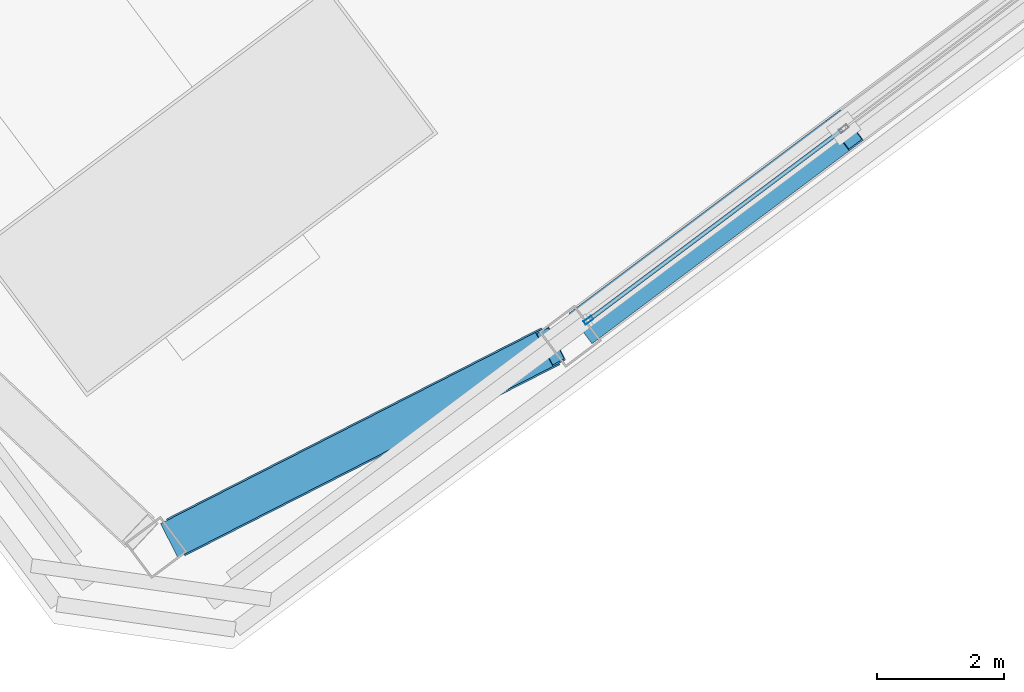
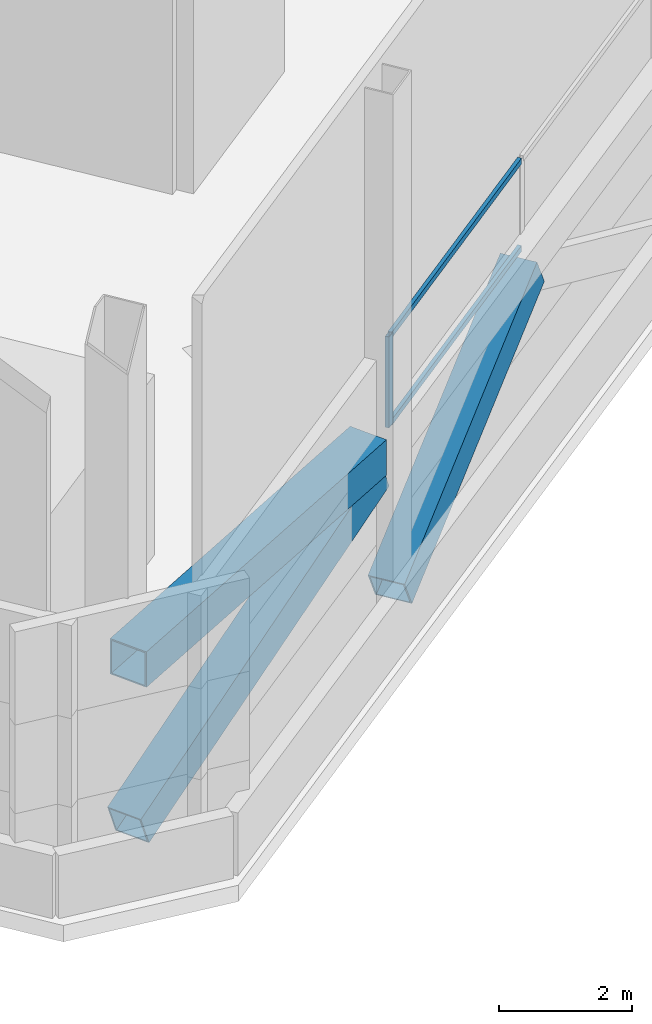
# One storey, part 18 of 37: 5 members, 1 beam, 1 element without a shape of its own.
"""IFC4 building model written with IfcOpenShell, lengths in metres."""

from ifc_helpers import new_model, si_unit, direction, frame, origin, origin_2d, place, context, subcontext, project, spatial, hollow_rectangle, extrude, material, material_profile, profile_set, type_object, element, aggregate, save


model = new_model("IFC4")

# Units and contexts
model_context = context("Model", 3, precision=1e-05, world=origin(), true_north=direction((0.0, 1.0)))
body_context = subcontext(model_context, "Body", "Model", "MODEL_VIEW")
ifc_project = project(units=[si_unit("LENGTHUNIT", "METRE"), si_unit("AREAUNIT", "SQUARE_METRE"), si_unit("VOLUMEUNIT", "CUBIC_METRE"), si_unit("PLANEANGLEUNIT", "RADIAN"), si_unit("MASSUNIT", "GRAM", prefix="KILO")], contexts=[model_context])

# Site, building, storey
site_placement = place(None, origin())
site = spatial("IfcSite", under=ifc_project, at=site_placement, CompositionType="ELEMENT")
building_placement = place(site_placement, origin())
building = spatial("IfcBuilding", under=site, at=building_placement, Name="Tashvorn Skyway Center", CompositionType="ELEMENT")
storey_placement = place(building_placement, frame((0.0, 0.0, 263.39990234375)))
storey = spatial("IfcBuildingStorey", under=building, at=storey_placement, Name="L71", CompositionType="ELEMENT", Elevation=263.39990234375)

# Beam
ifc_material_1 = material(Name="Steel ASTM A572 Grade 50", Category="steel")
ifc_material_profile_1 = material_profile(ifc_material_1, hollow_rectangle(XDim=0.64990234375, YDim=0.64990234375, WallThickness=0.02490234375, at=origin_2d()), Name="BOX650x650x25")
ifc_profile_set_1 = profile_set([ifc_material_profile_1], Name="Steel ASTM A572 Grade 50")
beam_type = type_object("IfcBeamType", Name="BM-BEAM-BOX650x650x25", PredefinedType="BEAM", material=ifc_profile_set_1)
beam_placement = place(storey_placement, frame((111.787353515625, 14.516845703125, 3.316650390625), z_axis=(0.890849939668, 0.454297683235, 0.0), x_axis=(-0.454297683235, 0.890849939668, 0.0)))
element("IfcBeam", 1, at=beam_placement, inside=storey, type_object=beam_type, Name="CROWN FRAME Tower 2 Lower-Tier Ring Beam 01", PredefinedType="BEAM", context=body_context, shape_type="SweptSolid", body=[
    extrude(hollow_rectangle(XDim=0.64990234375, YDim=0.64990234375, WallThickness=0.02490234375, at=origin_2d()), origin(), (0.0, 0.0, 1.0), 6.61767578125),
])

# Curtain wall, members
ifc_material_2 = material(Name="Thermally broken bronze-anodized aluminium 6063-T6", Category="aluminium")
curtain_wall_type = type_object("IfcCurtainWallType", Name="CW-CW-SKY", PredefinedType="NOTDEFINED", material=ifc_material_2)
curtain_wall_placement = place(storey_placement, origin())
curtain_wall = element("IfcCurtainWall", 2, at=curtain_wall_placement, inside=storey, type_object=curtain_wall_type, Name="CROWN Lantern Fritted Curtain Wall T2 S-3", PredefinedType="NOTDEFINED")
ifc_material_profile_2 = material_profile(ifc_material_2, hollow_rectangle(XDim=0.06494140625, YDim=0.14990234375, WallThickness=0.00390625, at=origin_2d()), Name="ALU-MULL-65x150")
ifc_profile_set_2 = profile_set([ifc_material_profile_2], Name="Thermally broken bronze-anodized aluminium 6063-T6")
member_type_1 = type_object("IfcMemberType", Name="CWM-CW-SKY", PredefinedType="MULLION", material=ifc_profile_set_2)
member_1_placement = place(storey_placement, frame((118.278076171875, 17.93359375, 3.330078125), z_axis=(0.0, 0.0, 1.0), x_axis=(0.600000000002, -0.799999999998, 0.0)))
member_1 = element("IfcMember", 3, at=member_1_placement, type_object=member_type_1, Name="CW-SKY mullion 3", PredefinedType="MULLION", context=body_context, shape_type="SweptSolid", body=[
    extrude(hollow_rectangle(XDim=0.06494140625, YDim=0.14990234375, WallThickness=0.00390625, at=origin_2d()), origin(), (0.0, 0.0, 1.0), 1.6650390625),
])
ifc_material_profile_3 = material_profile(ifc_material_2, hollow_rectangle(XDim=0.06494140625, YDim=0.10498046875, WallThickness=0.00390625, at=origin_2d()), Name="ALU-TRAN-65x105")
ifc_profile_set_3 = profile_set([ifc_material_profile_3], Name="Thermally broken bronze-anodized aluminium 6063-T6")
member_type_2 = type_object("IfcMemberType", Name="CWT-CW-SKY", PredefinedType="USERDEFINED", material=ifc_profile_set_3)
member_2_placement = place(storey_placement, frame((122.26611328125, 20.924560546875, 3.362548828125), z_axis=(-0.799994084668, -0.600007887028, 0.0), x_axis=(0.600007887028, -0.799994084668, 0.0)))
member_2 = element("IfcMember", 4, at=member_2_placement, type_object=member_type_2, Name="CW-SKY transom 2.1", ObjectType="TRANSOM", PredefinedType="USERDEFINED", context=body_context, shape_type="SweptSolid", body=[
    extrude(hollow_rectangle(XDim=0.06494140625, YDim=0.10498046875, WallThickness=0.00390625, at=origin_2d()), origin(), (0.0, 0.0, 1.0), 4.95263671875),
])
member_3_placement = place(storey_placement, frame((122.26611328125, 20.924560546875, 4.962646484375), z_axis=(-0.799994084668, -0.600007887028, 0.0), x_axis=(0.600007887028, -0.799994084668, 0.0)))
member_3 = element("IfcMember", 5, at=member_3_placement, type_object=member_type_2, Name="CW-SKY transom 2.2", ObjectType="TRANSOM", PredefinedType="USERDEFINED", context=body_context, shape_type="SweptSolid", body=[
    extrude(hollow_rectangle(XDim=0.06494140625, YDim=0.10498046875, WallThickness=0.00390625, at=origin_2d()), origin(), (0.0, 0.0, 1.0), 4.95263671875),
])
aggregate(curtain_wall, [member_1, member_2, member_3])

# Members
ifc_material_profile_4 = material_profile(ifc_material_1, hollow_rectangle(XDim=0.60009765625, YDim=0.60009765625, WallThickness=0.02490234375, at=origin_2d()), Name="BOX600x600x25")
ifc_profile_set_4 = profile_set([ifc_material_profile_4], Name="Steel ASTM A572 Grade 50")
member_type_3 = type_object("IfcMemberType", Name="MEM-CF-BRC-600", PredefinedType="BRACE", material=ifc_profile_set_4)
member_4_placement = place(storey_placement, frame((111.787353515625, 14.516845703125, 0.35009765625), z_axis=(0.827146346996, 0.421811409985, 0.371354352416), x_axis=(-0.454297683235, 0.890849939668, 0.0)))
element("IfcMember", 6, at=member_4_placement, inside=storey, type_object=member_type_3, Name="CROWN FRAME Tower 2 Lower Portal Brace 01", PredefinedType="BRACE", context=body_context, shape_type="SweptSolid", body=[
    extrude(hollow_rectangle(XDim=0.60009765625, YDim=0.60009765625, WallThickness=0.02490234375, at=origin_2d()), origin(), (0.0, 0.0, 1.0), 7.127197265625),
])
member_5_placement = place(storey_placement, frame((118.26611328125, 17.886962890625, 0.35009765625), z_axis=(0.708728196001, 0.531546147001, 0.463856699641), x_axis=(-0.6, 0.8, 0.0)))
element("IfcMember", 7, at=member_5_placement, inside=storey, type_object=member_type_3, Name="CROWN FRAME Tower 2 Tier-1 Chevron Brace 02A", PredefinedType="BRACE", context=body_context, shape_type="SweptSolid", body=[
    extrude(hollow_rectangle(XDim=0.60009765625, YDim=0.60009765625, WallThickness=0.02490234375, at=origin_2d()), origin(), (0.0, 0.0, 1.0), 5.705810546875),
])

save(model, "model.ifc")
